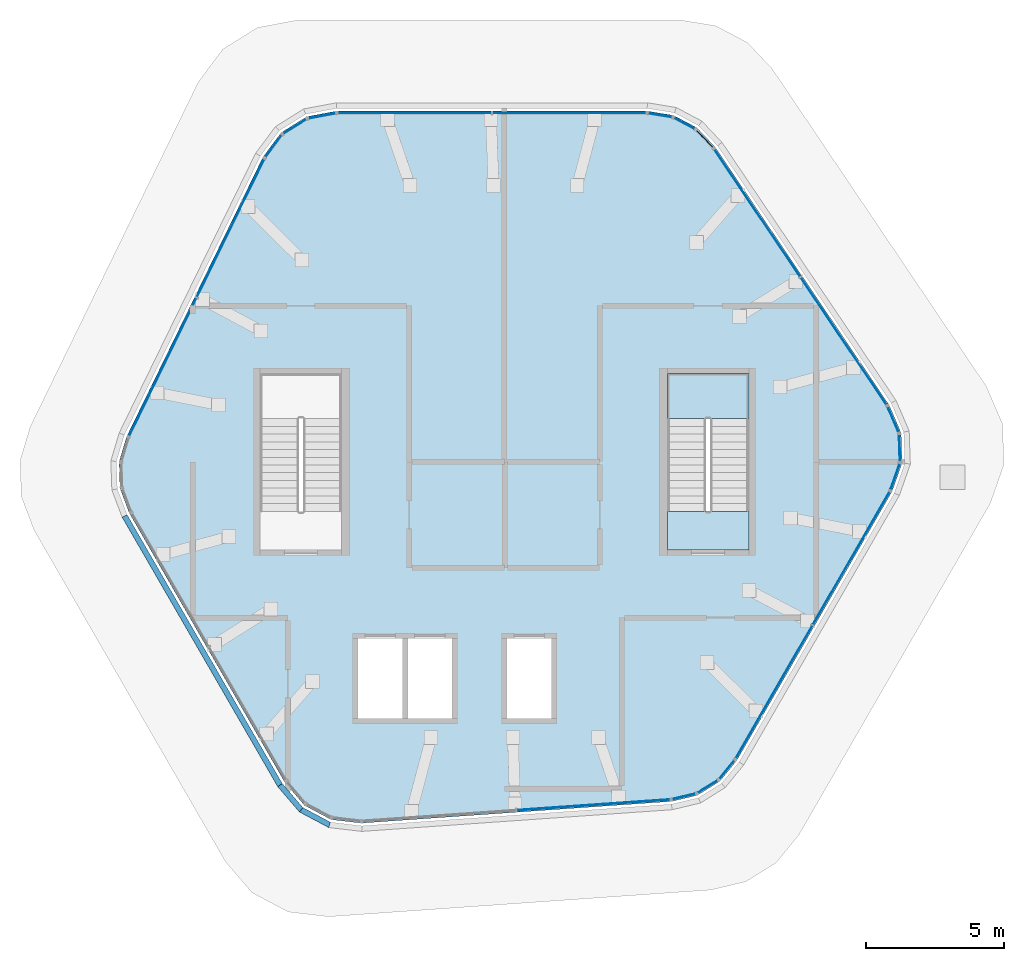
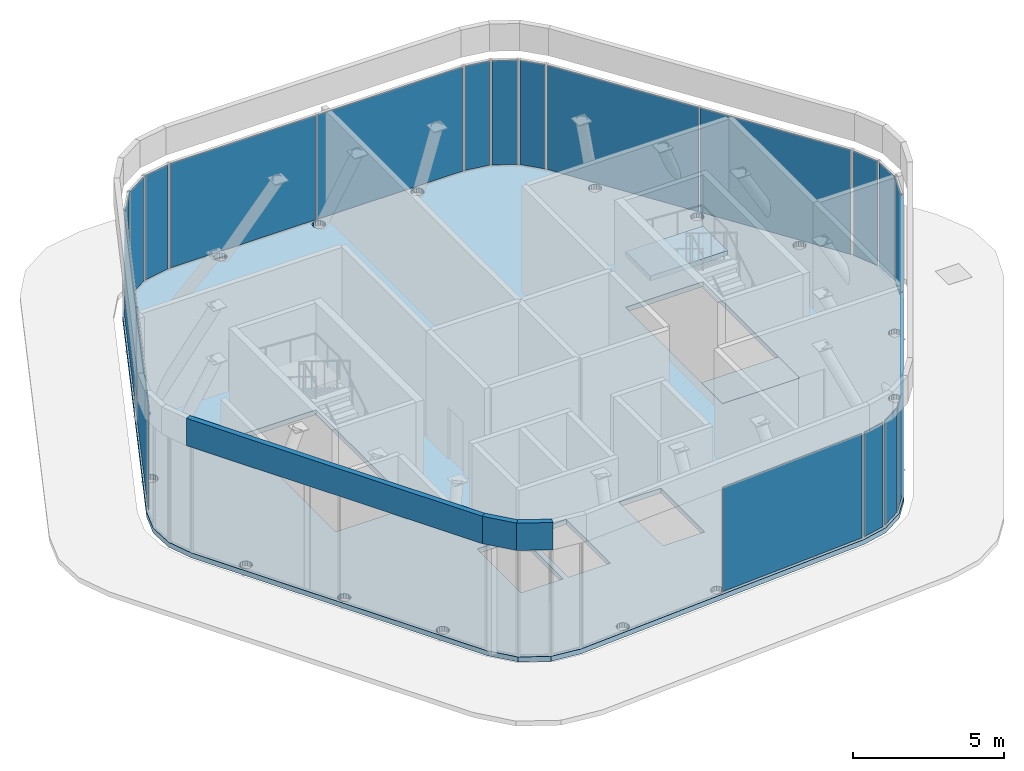
# One storey, part 6 of 9: 21 plates, 3 slabs, 3 walls, 18 elements without a shape of their own.
"""IFC4 building model written with IfcOpenShell, lengths in metres."""

from ifc_helpers import new_model, si_unit, direction, frame, origin, origin_2d, place, context, subcontext, project, spatial, polyline, rectangle, outline, extrude, material, layer, layer_set, type_object, element, aggregate, save


model = new_model("IFC4")

# Units and contexts
model_context = context("Model", 3, precision=1e-05, world=origin(), true_north=direction((0.0, 1.0)))
body_context = subcontext(model_context, "Body", "Model", "MODEL_VIEW")
ifc_project = project(units=[si_unit("LENGTHUNIT", "METRE"), si_unit("AREAUNIT", "SQUARE_METRE"), si_unit("VOLUMEUNIT", "CUBIC_METRE"), si_unit("PLANEANGLEUNIT", "RADIAN"), si_unit("MASSUNIT", "GRAM", prefix="KILO")], contexts=[model_context])

# Site, building, storey
site_placement = place(None, origin())
site = spatial("IfcSite", under=ifc_project, at=site_placement, CompositionType="ELEMENT")
building_placement = place(site_placement, origin())
building = spatial("IfcBuilding", under=site, at=building_placement, Name="Tarnside Tower", CompositionType="ELEMENT")
storey_placement = place(building_placement, frame((0.0, 0.0, 401.699951171875)))
storey = spatial("IfcBuildingStorey", under=building, at=storey_placement, Name="L95", CompositionType="ELEMENT", Elevation=401.699951171875)

# Slabs
ifc_material_1 = material(Name="Concrete C35/45", Category="concrete")
ifc_layer_1 = layer(ifc_material_1, 0.199951171875)
ifc_layer_set_1 = layer_set([ifc_layer_1], Name="Composite floor slab 200")
slab_type_1 = type_object("IfcSlabType", Name="Composite floor slab 200", PredefinedType="FLOOR", material=ifc_layer_set_1)
slab_1_placement = place(storey_placement, frame((0.0, 0.0, -0.199951171875)))
element("IfcSlab", 1, at=slab_1_placement, inside=storey, type_object=slab_type_1, Name="Floor slab L95", PredefinedType="FLOOR", context=body_context, shape_type="SweptSolid", body=[
    extrude(outline(polyline([(-13.687255859375, 0.90771484375), (-8.743896484375, 11.043212890625), (-8.091796875, 11.919189453125), (-7.165771484375, 12.497802734375), (-6.092529296875, 12.699951171875), (5.18408203125, 12.699951171875), (6.12841796875, 12.544921875), (6.97314453125, 12.095703125), (7.6298828125, 11.399658203125), (13.935546875, 2.05078125), (14.3681640625, 1.048095703125), (14.40625, -0.043212890625), (14.044921875, -1.07373046875), (8.406494140625, -10.839599609375), (7.800048828125, -11.57958984375), (6.988525390625, -12.0869140625), (6.057373046875, -12.307373046875), (-5.191650390625, -13.093994140625), (-6.2763671875, -12.96728515625), (-7.240478515625, -12.45458984375), (-7.952392578125, -11.626220703125), (-13.590576171875, -1.8603515625), (-13.92822265625, -0.965087890625), (-13.961669921875, -0.0087890625), (-13.687255859375, 0.90771484375)]), holes=[polyline([(-3.699951171875, -9.300048828125), (-3.699951171875, -6.39990234375), (-5.300048828125, -6.39990234375), (-5.300048828125, -9.300048828125), (-3.699951171875, -9.300048828125)]), polyline([(-1.89990234375, -9.300048828125), (-1.89990234375, -6.39990234375), (-3.5, -6.39990234375), (-3.5, -9.300048828125), (-1.89990234375, -9.300048828125)]), polyline([(1.699951171875, -9.300048828125), (1.699951171875, -6.39990234375), (0.10009765625, -6.39990234375), (0.10009765625, -9.300048828125), (1.699951171875, -9.300048828125)]), polyline([(-8.85009765625, -3.199951171875), (-5.89990234375, -3.199951171875), (-5.89990234375, 3.199951171875), (-8.85009765625, 3.199951171875), (-8.85009765625, -3.199951171875)]), polyline([(5.89990234375, -3.199951171875), (8.85009765625, -3.199951171875), (8.85009765625, 3.199951171875), (5.89990234375, 3.199951171875), (5.89990234375, -3.199951171875)]), polyline([(3.427001953125, 12.557861328125), (3.354736328125, 12.606201171875), (3.269287109375, 12.623291015625), (3.183837890625, 12.606201171875), (3.111572265625, 12.557861328125), (3.06298828125, 12.4853515625), (3.046142578125, 12.39990234375), (3.06298828125, 12.314697265625), (3.111572265625, 12.2421875), (3.183837890625, 12.19384765625), (3.269287109375, 12.1767578125), (3.354736328125, 12.19384765625), (3.427001953125, 12.2421875), (3.4755859375, 12.314697265625), (3.492431640625, 12.39990234375), (3.4755859375, 12.4853515625), (3.427001953125, 12.557861328125)]), polyline([(-0.27978515625, 12.4853515625), (-0.328125, 12.557861328125), (-0.400390625, 12.606201171875), (-0.48583984375, 12.623291015625), (-0.5712890625, 12.606201171875), (-0.643798828125, 12.557861328125), (-0.692138671875, 12.4853515625), (-0.708984375, 12.39990234375), (-0.692138671875, 12.314697265625), (-0.643798828125, 12.2421875), (-0.5712890625, 12.19384765625), (-0.48583984375, 12.1767578125), (-0.400390625, 12.19384765625), (-0.328125, 12.2421875), (-0.27978515625, 12.314697265625), (-0.2626953125, 12.39990234375), (-0.27978515625, 12.4853515625)]), polyline([(-4.017822265625, 12.39990234375), (-4.034912109375, 12.4853515625), (-4.083251953125, 12.557861328125), (-4.15576171875, 12.606201171875), (-4.2412109375, 12.623291015625), (-4.326416015625, 12.606201171875), (-4.39892578125, 12.557861328125), (-4.447265625, 12.4853515625), (-4.46435546875, 12.39990234375), (-4.447265625, 12.314697265625), (-4.39892578125, 12.2421875), (-4.326416015625, 12.19384765625), (-4.2412109375, 12.1767578125), (-4.15576171875, 12.19384765625), (-4.083251953125, 12.2421875), (-4.034912109375, 12.314697265625), (-4.017822265625, 12.39990234375)]), polyline([(-9.07958984375, 9.162109375), (-9.062744140625, 9.247802734375), (-9.07958984375, 9.3330078125), (-9.128173828125, 9.405517578125), (-9.200439453125, 9.453857421875), (-9.285888671875, 9.470947265625), (-9.371337890625, 9.453857421875), (-9.443603515625, 9.405517578125), (-9.4921875, 9.3330078125), (-9.509033203125, 9.247802734375), (-9.4921875, 9.162109375), (-9.443603515625, 9.08984375), (-9.371337890625, 9.04150390625), (-9.285888671875, 9.0244140625), (-9.200439453125, 9.04150390625), (-9.128173828125, 9.08984375), (-9.07958984375, 9.162109375)]), polyline([(-10.774169921875, 5.714599609375), (-10.725830078125, 5.787109375), (-10.708984375, 5.87255859375), (-10.725830078125, 5.9580078125), (-10.774169921875, 6.0302734375), (-10.8466796875, 6.07861328125), (-10.93212890625, 6.095703125), (-11.017578125, 6.07861328125), (-11.08984375, 6.0302734375), (-11.13818359375, 5.9580078125), (-11.1552734375, 5.87255859375), (-11.13818359375, 5.787109375), (-11.08984375, 5.714599609375), (-11.017578125, 5.666259765625), (-10.93212890625, 5.6494140625), (-10.8466796875, 5.666259765625), (-10.774169921875, 5.714599609375)]), polyline([(-12.492919921875, 2.291015625), (-12.42041015625, 2.339599609375), (-12.3720703125, 2.411865234375), (-12.35498046875, 2.497314453125), (-12.3720703125, 2.582763671875), (-12.42041015625, 2.6552734375), (-12.492919921875, 2.70361328125), (-12.578125, 2.720458984375), (-12.66357421875, 2.70361328125), (-12.736083984375, 2.6552734375), (-12.784423828125, 2.582763671875), (-12.801513671875, 2.497314453125), (-12.784423828125, 2.411865234375), (-12.736083984375, 2.339599609375), (-12.66357421875, 2.291015625), (-12.578125, 2.274169921875), (-12.492919921875, 2.291015625)]), polyline([(-12.373291015625, -3.591796875), (-12.2880859375, -3.574951171875), (-12.215576171875, -3.526611328125), (-12.167236328125, -3.4541015625), (-12.150146484375, -3.36865234375), (-12.167236328125, -3.283203125), (-12.215576171875, -3.2109375), (-12.2880859375, -3.16259765625), (-12.373291015625, -3.1455078125), (-12.458740234375, -3.16259765625), (-12.53125, -3.2109375), (-12.57958984375, -3.283203125), (-12.5966796875, -3.36865234375), (-12.57958984375, -3.4541015625), (-12.53125, -3.526611328125), (-12.458740234375, -3.574951171875), (-12.373291015625, -3.591796875)]), polyline([(-10.581298828125, -6.826904296875), (-10.495849609375, -6.843994140625), (-10.410400390625, -6.826904296875), (-10.337890625, -6.778564453125), (-10.28955078125, -6.706298828125), (-10.272705078125, -6.620849609375), (-10.28955078125, -6.535400390625), (-10.337890625, -6.462890625), (-10.410400390625, -6.41455078125), (-10.495849609375, -6.397705078125), (-10.581298828125, -6.41455078125), (-10.653564453125, -6.462890625), (-10.701904296875, -6.535400390625), (-10.718994140625, -6.620849609375), (-10.701904296875, -6.706298828125), (-10.653564453125, -6.778564453125), (-10.581298828125, -6.826904296875)]), polyline([(-8.77587890625, -10.03076171875), (-8.70361328125, -10.0791015625), (-8.6181640625, -10.09619140625), (-8.53271484375, -10.0791015625), (-8.460205078125, -10.03076171875), (-8.412109375, -9.958251953125), (-8.39501953125, -9.872802734375), (-8.412109375, -9.78759765625), (-8.460205078125, -9.715087890625), (-8.53271484375, -9.666748046875), (-8.6181640625, -9.649658203125), (-8.70361328125, -9.666748046875), (-8.77587890625, -9.715087890625), (-8.824462890625, -9.78759765625), (-8.84130859375, -9.872802734375), (-8.824462890625, -9.958251953125), (-8.77587890625, -10.03076171875)]), polyline([(-3.572021484375, -12.751220703125), (-3.523681640625, -12.823486328125), (-3.451171875, -12.871826171875), (-3.36572265625, -12.888916015625), (-3.280517578125, -12.871826171875), (-3.2080078125, -12.823486328125), (-3.15966796875, -12.751220703125), (-3.142578125, -12.66552734375), (-3.15966796875, -12.580078125), (-3.2080078125, -12.5078125), (-3.280517578125, -12.45947265625), (-3.36572265625, -12.4423828125), (-3.451171875, -12.45947265625), (-3.523681640625, -12.5078125), (-3.572021484375, -12.580078125), (-3.589111328125, -12.66552734375), (-3.572021484375, -12.751220703125)]), polyline([(0.156982421875, -12.40380859375), (0.174072265625, -12.489013671875), (0.222412109375, -12.5615234375), (0.294921875, -12.60986328125), (0.38037109375, -12.626953125), (0.4658203125, -12.60986328125), (0.5380859375, -12.5615234375), (0.58642578125, -12.489013671875), (0.603515625, -12.40380859375), (0.58642578125, -12.318359375), (0.5380859375, -12.245849609375), (0.4658203125, -12.197509765625), (0.38037109375, -12.180419921875), (0.294921875, -12.197509765625), (0.222412109375, -12.245849609375), (0.174072265625, -12.318359375), (0.156982421875, -12.40380859375)]), polyline([(3.920166015625, -12.056396484375), (3.903076171875, -12.1416015625), (3.920166015625, -12.227294921875), (3.968505859375, -12.299560546875), (4.041015625, -12.347900390625), (4.126220703125, -12.364990234375), (4.2119140625, -12.347900390625), (4.2841796875, -12.299560546875), (4.33251953125, -12.227294921875), (4.349609375, -12.1416015625), (4.33251953125, -12.056396484375), (4.2841796875, -11.98388671875), (4.2119140625, -11.935546875), (4.126220703125, -11.91845703125), (4.041015625, -11.935546875), (3.968505859375, -11.98388671875), (3.920166015625, -12.056396484375)]), polyline([(8.9462890625, -8.87353515625), (8.897705078125, -8.94580078125), (8.880859375, -9.03125), (8.897705078125, -9.11669921875), (8.9462890625, -9.189208984375), (9.0185546875, -9.237548828125), (9.10400390625, -9.25439453125), (9.189453125, -9.237548828125), (9.261962890625, -9.189208984375), (9.310302734375, -9.11669921875), (9.327392578125, -9.03125), (9.310302734375, -8.94580078125), (9.261962890625, -8.87353515625), (9.189453125, -8.8251953125), (9.10400390625, -8.80810546875), (9.0185546875, -8.8251953125), (8.9462890625, -8.87353515625)]), polyline([(10.896240234375, -5.572998046875), (10.82373046875, -5.621337890625), (10.775390625, -5.69384765625), (10.758544921875, -5.779296875), (10.775390625, -5.864501953125), (10.82373046875, -5.93701171875), (10.896240234375, -5.9853515625), (10.981689453125, -6.00244140625), (11.067138671875, -5.9853515625), (11.139404296875, -5.93701171875), (11.18798828125, -5.864501953125), (11.204833984375, -5.779296875), (11.18798828125, -5.69384765625), (11.139404296875, -5.621337890625), (11.067138671875, -5.572998046875), (10.981689453125, -5.555908203125), (10.896240234375, -5.572998046875)]), polyline([(12.859375, -2.303955078125), (12.773681640625, -2.32080078125), (12.701416015625, -2.369384765625), (12.653076171875, -2.441650390625), (12.635986328125, -2.527099609375), (12.653076171875, -2.612548828125), (12.701416015625, -2.684814453125), (12.773681640625, -2.7333984375), (12.859375, -2.750244140625), (12.944580078125, -2.7333984375), (13.01708984375, -2.684814453125), (13.0654296875, -2.612548828125), (13.08251953125, -2.527099609375), (13.0654296875, -2.441650390625), (13.01708984375, -2.369384765625), (12.944580078125, -2.32080078125), (12.859375, -2.303955078125)]), polyline([(12.737060546875, 3.624267578125), (12.651611328125, 3.64111328125), (12.566162109375, 3.624267578125), (12.493896484375, 3.57568359375), (12.4453125, 3.50341796875), (12.428466796875, 3.41796875), (12.4453125, 3.33251953125), (12.493896484375, 3.26025390625), (12.566162109375, 3.2119140625), (12.651611328125, 3.19482421875), (12.737060546875, 3.2119140625), (12.8095703125, 3.26025390625), (12.85791015625, 3.33251953125), (12.874755859375, 3.41796875), (12.85791015625, 3.50341796875), (12.8095703125, 3.57568359375), (12.737060546875, 3.624267578125)]), polyline([(10.709716796875, 6.68896484375), (10.63720703125, 6.7373046875), (10.5517578125, 6.75439453125), (10.46630859375, 6.7373046875), (10.393798828125, 6.68896484375), (10.345703125, 6.61669921875), (10.32861328125, 6.53125), (10.345703125, 6.44580078125), (10.393798828125, 6.373291015625), (10.46630859375, 6.324951171875), (10.5517578125, 6.30810546875), (10.63720703125, 6.324951171875), (10.709716796875, 6.373291015625), (10.758056640625, 6.44580078125), (10.77490234375, 6.53125), (10.758056640625, 6.61669921875), (10.709716796875, 6.68896484375)]), polyline([(8.658203125, 9.729736328125), (8.609619140625, 9.80224609375), (8.537353515625, 9.8505859375), (8.451904296875, 9.86767578125), (8.366455078125, 9.8505859375), (8.294189453125, 9.80224609375), (8.24560546875, 9.729736328125), (8.228759765625, 9.644287109375), (8.24560546875, 9.55908203125), (8.294189453125, 9.486572265625), (8.366455078125, 9.438232421875), (8.451904296875, 9.421142578125), (8.537353515625, 9.438232421875), (8.609619140625, 9.486572265625), (8.658203125, 9.55908203125), (8.675048828125, 9.644287109375), (8.658203125, 9.729736328125)])]), origin(), (0.0, 0.0, 1.0), 0.199951171875),
])
ifc_material_2 = material(Name="Concrete C40/50", Category="concrete")
ifc_layer_2 = layer(ifc_material_2, 0.199951171875)
ifc_layer_set_2 = layer_set([ifc_layer_2], Name="Core crown slab C40/50")
slab_type_2 = type_object("IfcSlabType", Name="Core crown slab C40/50", PredefinedType="FLOOR", material=ifc_layer_set_2)
slab_2_placement = place(storey_placement, frame((0.0, 0.0, -0.199951171875)))
element("IfcSlab", 2, at=slab_2_placement, inside=storey, type_object=slab_type_2, Name="L95 core floor slab 1", PredefinedType="FLOOR", context=body_context, shape_type="SweptSolid", body=[
    extrude(outline(polyline([(8.85009765625, -3.199951171875), (5.89990234375, -3.199951171875), (5.89990234375, 3.199951171875), (5.89990234375, 3.199951171875), (5.89990234375, -1.800048828125), (8.85009765625, -1.800048828125), (8.85009765625, -3.199951171875)])), origin(), (0.0, 0.0, 1.0), 0.199951171875),
])

# Curtain wall, plate
ifc_material_3 = material(Name="Crown glazing wall", Category="glass")
curtain_wall_type = type_object("IfcCurtainWallType", Name="Crown glazing wall", PredefinedType="NOTDEFINED", material=ifc_material_3)
curtain_wall_1_placement = place(storey_placement, origin())
curtain_wall_1 = element("IfcCurtainWall", 3, at=curtain_wall_1_placement, inside=storey, type_object=curtain_wall_type, Name="Crown glazing L95 01", PredefinedType="NOTDEFINED")
ifc_material_4 = material(Name="Low-iron safety glass", Category="glass")
ifc_layer_3 = layer(ifc_material_4, 0.028076171875)
ifc_layer_set_3 = layer_set([ifc_layer_3], Name="Crown glazing panel 28")
plate_type_1 = type_object("IfcPlateType", Name="Crown glazing panel 28", PredefinedType="CURTAIN_PANEL", material=ifc_layer_set_3)
plate_1_placement = place(storey_placement, frame((5.635498046875, 12.552734375, 0.05029296875), z_axis=(0.0, 0.0, 1.0), x_axis=(0.986761532043, -0.16217792353, 0.0)))
plate_1 = element("IfcPlate", 4, at=plate_1_placement, type_object=plate_type_1, Name="CW6 panel 1.1", PredefinedType="CURTAIN_PANEL", context=body_context, shape_type="SweptSolid", body=[
    extrude(rectangle(XDim=0.851318359375, YDim=0.028076171875, at=origin_2d()), origin(), (0.0, 0.0, 1.0), 4.199951171875),
])
aggregate(curtain_wall_1, [plate_1])

curtain_wall_2_placement = place(storey_placement, origin())
curtain_wall_2 = element("IfcCurtainWall", 5, at=curtain_wall_2_placement, inside=storey, type_object=curtain_wall_type, Name="Crown glazing L95 02", PredefinedType="NOTDEFINED")
plate_2_placement = place(storey_placement, frame((6.51708984375, 12.256591796875, 0.05029296875), z_axis=(0.0, 0.0, 1.0), x_axis=(0.882947593203, -0.469471562139, 0.0)))
plate_2 = element("IfcPlate", 6, at=plate_2_placement, type_object=plate_type_1, Name="CW6 panel 1.1", PredefinedType="CURTAIN_PANEL", context=body_context, shape_type="SweptSolid", body=[
    extrude(rectangle(XDim=0.833251953125, YDim=0.028076171875, at=origin_2d()), origin(), (0.0, 0.0, 1.0), 4.199951171875),
])
aggregate(curtain_wall_2, [plate_2])

curtain_wall_3_placement = place(storey_placement, origin())
curtain_wall_3 = element("IfcCurtainWall", 7, at=curtain_wall_3_placement, inside=storey, type_object=curtain_wall_type, Name="Crown glazing L95 03", PredefinedType="NOTDEFINED")
plate_3_placement = place(storey_placement, frame((7.25537109375, 11.691650390625, 0.05029296875), z_axis=(0.0, 0.0, 1.0), x_axis=(0.686241637331, -0.72737364208, 0.0)))
plate_3 = element("IfcPlate", 8, at=plate_3_placement, type_object=plate_type_1, Name="CW6 panel 1.1", PredefinedType="CURTAIN_PANEL", context=body_context, shape_type="SweptSolid", body=[
    extrude(rectangle(XDim=0.851318359375, YDim=0.028076171875, at=origin_2d()), origin(), (0.0, 0.0, 1.0), 4.199951171875),
])
aggregate(curtain_wall_3, [plate_3])

curtain_wall_4_placement = place(storey_placement, origin())
curtain_wall_4 = element("IfcCurtainWall", 9, at=curtain_wall_4_placement, inside=storey, type_object=curtain_wall_type, Name="Crown glazing L95 05", PredefinedType="NOTDEFINED")
plate_4_placement = place(storey_placement, frame((14.0810546875, 1.5302734375, 0.05029296875), z_axis=(0.0, 0.0, 1.0), x_axis=(0.396079766643, -0.91821610662, 0.0)))
plate_4 = element("IfcPlate", 10, at=plate_4_placement, type_object=plate_type_1, Name="CW6 panel 1.1", PredefinedType="CURTAIN_PANEL", context=body_context, shape_type="SweptSolid", body=[
    extrude(rectangle(XDim=0.985595703125, YDim=0.028076171875, at=origin_2d()), origin(), (0.0, 0.0, 1.0), 4.199951171875),
])
aggregate(curtain_wall_4, [plate_4])

curtain_wall_5_placement = place(storey_placement, origin())
curtain_wall_5 = element("IfcCurtainWall", 11, at=curtain_wall_5_placement, inside=storey, type_object=curtain_wall_type, Name="Crown glazing L95 06", PredefinedType="NOTDEFINED")
plate_5_placement = place(storey_placement, frame((14.314697265625, 0.5, 0.05029296875), z_axis=(0.0, 0.0, 1.0), x_axis=(0.034899495795, -0.999390827051, 0.0)))
plate_5 = element("IfcPlate", 12, at=plate_5_placement, type_object=plate_type_1, Name="CW6 panel 1.1", PredefinedType="CURTAIN_PANEL", context=body_context, shape_type="SweptSolid", body=[
    extrude(rectangle(XDim=0.964599609375, YDim=0.028076171875, at=origin_2d()), origin(), (0.0, 0.0, 1.0), 4.199951171875),
])
aggregate(curtain_wall_5, [plate_5])

curtain_wall_6_placement = place(storey_placement, origin())
curtain_wall_6 = element("IfcCurtainWall", 13, at=curtain_wall_6_placement, inside=storey, type_object=curtain_wall_type, Name="Crown glazing L95 07", PredefinedType="NOTDEFINED")
plate_6_placement = place(storey_placement, frame((14.153564453125, -0.54443359375, 0.05029296875), z_axis=(0.0, 0.0, 1.0), x_axis=(-0.331063417665, -0.943608506471, 0.0)))
plate_6 = element("IfcPlate", 14, at=plate_6_placement, type_object=plate_type_1, Name="CW6 panel 1.1", PredefinedType="CURTAIN_PANEL", context=body_context, shape_type="SweptSolid", body=[
    extrude(rectangle(XDim=0.985595703125, YDim=0.028076171875, at=origin_2d()), origin(), (0.0, 0.0, 1.0), 4.199951171875),
])
aggregate(curtain_wall_6, [plate_6])

curtain_wall_7_placement = place(storey_placement, origin())
curtain_wall_7 = element("IfcCurtainWall", 15, at=curtain_wall_7_placement, inside=storey, type_object=curtain_wall_type, Name="Crown glazing L95 09", PredefinedType="NOTDEFINED")
plate_7_placement = place(storey_placement, frame((8.05322265625, -11.156982421875, 0.05029296875), z_axis=(0.0, 0.0, 1.0), x_axis=(-0.633830967165, -0.773471592926, 0.0)))
plate_7 = element("IfcPlate", 16, at=plate_7_placement, type_object=plate_type_1, Name="CW6 panel 1.1", PredefinedType="CURTAIN_PANEL", context=body_context, shape_type="SweptSolid", body=[
    extrude(rectangle(XDim=0.851318359375, YDim=0.028076171875, at=origin_2d()), origin(), (0.0, 0.0, 1.0), 4.199951171875),
])
aggregate(curtain_wall_7, [plate_7])

curtain_wall_8_placement = place(storey_placement, origin())
curtain_wall_8 = element("IfcCurtainWall", 17, at=curtain_wall_8_placement, inside=storey, type_object=curtain_wall_type, Name="Crown glazing L95 10", PredefinedType="NOTDEFINED")
plate_8_placement = place(storey_placement, frame((7.356201171875, -11.772216796875, 0.05029296875), z_axis=(0.0, 0.0, 1.0), x_axis=(-0.84804809661, -0.529919263508, 0.0)))
plate_8 = element("IfcPlate", 18, at=plate_8_placement, type_object=plate_type_1, Name="CW6 panel 1.1", PredefinedType="CURTAIN_PANEL", context=body_context, shape_type="SweptSolid", body=[
    extrude(rectangle(XDim=0.833251953125, YDim=0.028076171875, at=origin_2d()), origin(), (0.0, 0.0, 1.0), 4.199951171875),
])
aggregate(curtain_wall_8, [plate_8])

curtain_wall_9_placement = place(storey_placement, origin())
curtain_wall_9 = element("IfcCurtainWall", 19, at=curtain_wall_9_placement, inside=storey, type_object=curtain_wall_type, Name="Crown glazing L95 11", PredefinedType="NOTDEFINED")
plate_9_placement = place(storey_placement, frame((6.49755859375, -12.129150390625, 0.05029296875), z_axis=(0.0, 0.0, 1.0), x_axis=(-0.973044870541, -0.230615870907, 0.0)))
plate_9 = element("IfcPlate", 20, at=plate_9_placement, type_object=plate_type_1, Name="CW6 panel 1.1", PredefinedType="CURTAIN_PANEL", context=body_context, shape_type="SweptSolid", body=[
    extrude(rectangle(XDim=0.851318359375, YDim=0.028076171875, at=origin_2d()), origin(), (0.0, 0.0, 1.0), 4.199951171875),
])
aggregate(curtain_wall_9, [plate_9])

curtain_wall_10_placement = place(storey_placement, origin())
curtain_wall_10 = element("IfcCurtainWall", 21, at=curtain_wall_10_placement, inside=storey, type_object=curtain_wall_type, Name="Crown glazing L95 21", PredefinedType="NOTDEFINED")
plate_10_placement = place(storey_placement, frame((-8.365966796875, 11.429443359375, 0.05029296875), z_axis=(0.0, 0.0, 1.0), x_axis=(0.597158591777, 0.802123192699, 0.0)))
plate_10 = element("IfcPlate", 22, at=plate_10_placement, type_object=plate_type_1, Name="CW6 panel 1.1", PredefinedType="CURTAIN_PANEL", context=body_context, shape_type="SweptSolid", body=[
    extrude(rectangle(XDim=0.985595703125, YDim=0.028076171875, at=origin_2d()), origin(), (0.0, 0.0, 1.0), 4.199951171875),
])
aggregate(curtain_wall_10, [plate_10])

curtain_wall_11_placement = place(storey_placement, origin())
curtain_wall_11 = element("IfcCurtainWall", 23, at=curtain_wall_11_placement, inside=storey, type_object=curtain_wall_type, Name="Crown glazing L95 22", PredefinedType="NOTDEFINED")
plate_11_placement = place(storey_placement, frame((-7.59033203125, 12.14697265625, 0.05029296875), z_axis=(0.0, 0.0, 1.0), x_axis=(0.848048096055, 0.529919264396, 0.0)))
plate_11 = element("IfcPlate", 24, at=plate_11_placement, type_object=plate_type_1, Name="CW6 panel 1.1", PredefinedType="CURTAIN_PANEL", context=body_context, shape_type="SweptSolid", body=[
    extrude(rectangle(XDim=0.964599609375, YDim=0.028076171875, at=origin_2d()), origin(), (0.0, 0.0, 1.0), 4.199951171875),
])
aggregate(curtain_wall_11, [plate_11])

curtain_wall_12_placement = place(storey_placement, origin())
curtain_wall_12 = element("IfcCurtainWall", 25, at=curtain_wall_12_placement, inside=storey, type_object=curtain_wall_type, Name="Crown glazing L95 23", PredefinedType="NOTDEFINED")
plate_12_placement = place(storey_placement, frame((-6.60546875, 12.529541015625, 0.05029296875), z_axis=(0.0, 0.0, 1.0), x_axis=(0.982720646767, 0.185094922725, 0.0)))
plate_12 = element("IfcPlate", 26, at=plate_12_placement, type_object=plate_type_1, Name="CW6 panel 1.1", PredefinedType="CURTAIN_PANEL", context=body_context, shape_type="SweptSolid", body=[
    extrude(rectangle(XDim=0.985595703125, YDim=0.028076171875, at=origin_2d()), origin(), (0.0, 0.0, 1.0), 4.199951171875),
])
aggregate(curtain_wall_12, [plate_12])

# Curtain wall, plates
curtain_wall_13_placement = place(storey_placement, origin())
curtain_wall_13 = element("IfcCurtainWall", 27, at=curtain_wall_13_placement, inside=storey, type_object=curtain_wall_type, Name="Crown glazing L95 00", PredefinedType="NOTDEFINED")
ifc_material_5 = material(Name="Insulated aluminium panel", Category="aluminium")
ifc_layer_4 = layer(ifc_material_5, 0.028076171875)
ifc_layer_set_4 = layer_set([ifc_layer_4], Name="Crown glazing spandrel panel 28")
plate_type_2 = type_object("IfcPlateType", Name="Crown glazing spandrel panel 28", PredefinedType="CURTAIN_PANEL", material=ifc_layer_set_4)
plate_13_placement = place(storey_placement, frame((-3.25, 12.6298828125, 0.05029296875), z_axis=(0.0, 0.0, 1.0), x_axis=(1.0, 0.0, 0.0)))
plate_13 = element("IfcPlate", 28, at=plate_13_placement, type_object=plate_type_2, Name="CW6 panel 1.1", PredefinedType="CURTAIN_PANEL", context=body_context, shape_type="SweptSolid", body=[
    extrude(rectangle(XDim=5.544189453125, YDim=0.028076171875, at=origin_2d()), origin(), (0.0, 0.0, 1.0), 4.199951171875),
])
plate_14_placement = place(storey_placement, frame((2.34423828125, 12.6298828125, 0.05029296875), z_axis=(0.0, 0.0, 1.0), x_axis=(1.0, 0.0, 0.0)))
plate_14 = element("IfcPlate", 29, at=plate_14_placement, type_object=plate_type_2, Name="CW6 panel 2.1", PredefinedType="CURTAIN_PANEL", context=body_context, shape_type="SweptSolid", body=[
    extrude(rectangle(XDim=5.544189453125, YDim=0.028076171875, at=origin_2d()), origin(), (0.0, 0.0, 1.0), 4.199951171875),
])
aggregate(curtain_wall_13, [plate_13, plate_14])

curtain_wall_14_placement = place(storey_placement, origin())
curtain_wall_14 = element("IfcCurtainWall", 30, at=curtain_wall_14_placement, inside=storey, type_object=curtain_wall_type, Name="Crown glazing L95 04", PredefinedType="NOTDEFINED")
plate_15_placement = place(storey_placement, frame((9.159912109375, 9.006103515625, 0.05029296875), z_axis=(0.0, 0.0, 1.0), x_axis=(0.559192903485, -0.829037572545, 0.0)))
plate_15 = element("IfcPlate", 31, at=plate_15_placement, type_object=plate_type_2, Name="CW6 panel 1.1", PredefinedType="CURTAIN_PANEL", context=body_context, shape_type="SweptSolid", body=[
    extrude(rectangle(XDim=5.544189453125, YDim=0.028076171875, at=origin_2d()), origin(), (0.0, 0.0, 1.0), 4.199951171875),
])
plate_16_placement = place(storey_placement, frame((12.2880859375, 4.368408203125, 0.05029296875), z_axis=(0.0, 0.0, 1.0), x_axis=(0.559192903485, -0.829037572545, 0.0)))
plate_16 = element("IfcPlate", 32, at=plate_16_placement, type_object=plate_type_2, Name="CW6 panel 2.1", PredefinedType="CURTAIN_PANEL", context=body_context, shape_type="SweptSolid", body=[
    extrude(rectangle(XDim=5.544189453125, YDim=0.028076171875, at=origin_2d()), origin(), (0.0, 0.0, 1.0), 4.199951171875),
])
aggregate(curtain_wall_14, [plate_15, plate_16])

curtain_wall_15_placement = place(storey_placement, origin())
curtain_wall_15 = element("IfcCurtainWall", 33, at=curtain_wall_15_placement, inside=storey, type_object=curtain_wall_type, Name="Crown glazing L95 08", PredefinedType="NOTDEFINED")
plate_17_placement = place(storey_placement, frame((12.562744140625, -3.50048828125, 0.05029296875), z_axis=(0.0, 0.0, 1.0), x_axis=(-0.49999999997, -0.866025403802, 0.0)))
plate_17 = element("IfcPlate", 34, at=plate_17_placement, type_object=plate_type_2, Name="CW6 panel 1.1", PredefinedType="CURTAIN_PANEL", context=body_context, shape_type="SweptSolid", body=[
    extrude(rectangle(XDim=5.544189453125, YDim=0.028076171875, at=origin_2d()), origin(), (0.0, 0.0, 1.0), 4.199951171875),
])
plate_18_placement = place(storey_placement, frame((9.765869140625, -8.34521484375, 0.05029296875), z_axis=(0.0, 0.0, 1.0), x_axis=(-0.49999999997, -0.866025403802, 0.0)))
plate_18 = element("IfcPlate", 35, at=plate_18_placement, type_object=plate_type_2, Name="CW6 panel 2.1", PredefinedType="CURTAIN_PANEL", context=body_context, shape_type="SweptSolid", body=[
    extrude(rectangle(XDim=5.544189453125, YDim=0.028076171875, at=origin_2d()), origin(), (0.0, 0.0, 1.0), 4.199951171875),
])
aggregate(curtain_wall_15, [plate_17, plate_18])

# Curtain wall, plate
curtain_wall_16_placement = place(storey_placement, origin())
curtain_wall_16 = element("IfcCurtainWall", 36, at=curtain_wall_16_placement, inside=storey, type_object=curtain_wall_type, Name="Crown glazing L95 12", PredefinedType="NOTDEFINED")
plate_19_placement = place(storey_placement, frame((3.219482421875, -12.435791015625, 0.05029296875), z_axis=(0.0, 0.0, 1.0), x_axis=(-0.997564050261, -0.069756473727, 0.0)))
plate_19 = element("IfcPlate", 37, at=plate_19_placement, type_object=plate_type_2, Name="CW6 panel 1.1", PredefinedType="CURTAIN_PANEL", context=body_context, shape_type="SweptSolid", body=[
    extrude(rectangle(XDim=5.544189453125, YDim=0.028076171875, at=origin_2d()), origin(), (0.0, 0.0, 1.0), 4.199951171875),
])
aggregate(curtain_wall_16, [plate_19])

# Curtain wall, plates
curtain_wall_17_placement = place(storey_placement, origin())
curtain_wall_17 = element("IfcCurtainWall", 38, at=curtain_wall_17_placement, inside=storey, type_object=curtain_wall_type, Name="Crown glazing L95 20", PredefinedType="NOTDEFINED")
plate_20_placement = place(storey_placement, frame((-12.37939453125, 3.4296875, 0.05029296875), z_axis=(0.0, 0.0, 1.0), x_axis=(0.438371146773, 0.898794046307, 0.0)))
plate_20 = element("IfcPlate", 39, at=plate_20_placement, type_object=plate_type_2, Name="CW6 panel 1.1", PredefinedType="CURTAIN_PANEL", context=body_context, shape_type="SweptSolid", body=[
    extrude(rectangle(XDim=5.544189453125, YDim=0.028076171875, at=origin_2d()), origin(), (0.0, 0.0, 1.0), 4.199951171875),
])
plate_21_placement = place(storey_placement, frame((-9.927001953125, 8.45751953125, 0.05029296875), z_axis=(0.0, 0.0, 1.0), x_axis=(0.438371146773, 0.898794046307, 0.0)))
plate_21 = element("IfcPlate", 40, at=plate_21_placement, type_object=plate_type_2, Name="CW6 panel 2.1", PredefinedType="CURTAIN_PANEL", context=body_context, shape_type="SweptSolid", body=[
    extrude(rectangle(XDim=5.544189453125, YDim=0.028076171875, at=origin_2d()), origin(), (0.0, 0.0, 1.0), 4.199951171875),
])
aggregate(curtain_wall_17, [plate_20, plate_21])

# Stair, slab
stair_type = type_object("IfcStairType", Name="Exit stair 1400 clear", PredefinedType="HALF_TURN_STAIR", material=ifc_material_2)
stair_placement = place(storey_placement, origin())
stair = element("IfcStair", 41, at=stair_placement, inside=storey, type_object=stair_type, Name="L95 Exit stair 1", PredefinedType="HALF_TURN_STAIR")
ifc_layer_5 = layer(ifc_material_2, 0.199951171875)
ifc_layer_set_5 = layer_set([ifc_layer_5], Name="Stair landing 200 C40/50")
slab_type_3 = type_object("IfcSlabType", Name="Stair landing 200 C40/50", PredefinedType="LANDING", material=ifc_layer_set_5)
slab_3_placement = place(storey_placement, frame((0.0, 0.0, 2.050048828125)))
slab_3 = element("IfcSlab", 42, at=slab_3_placement, type_object=slab_type_3, Name="ST1 landing 1", PredefinedType="LANDING", context=body_context, shape_type="SweptSolid", body=[
    extrude(outline(polyline([(8.85009765625, 1.56005859375), (8.85009765625, 3.199951171875), (5.89990234375, 3.199951171875), (5.89990234375, 1.56005859375), (8.85009765625, 1.56005859375)])), origin(), (0.0, 0.0, 1.0), 0.199951171875),
])
aggregate(stair, [slab_3])

# Walls
ifc_material_6 = material(Name="Concrete C35/45 precast", Category="concrete")
ifc_layer_6 = layer(ifc_material_6, 0.199951171875)
ifc_layer_set_6 = layer_set([ifc_layer_6], Name="Parapet 200 x 1100")
wall_type = type_object("IfcWallType", Name="Parapet 200 x 1100", PredefinedType="PARAPET", material=ifc_layer_set_6)
wall_1_placement = place(storey_placement, frame((-6.33544921875, -13.156494140625, 4.5), z_axis=(0.0, 0.0, 1.0), x_axis=(-0.88296107381, 0.469446207926, 0.0)))
element("IfcWall", 43, at=wall_1_placement, inside=storey, type_object=wall_type, Name="Roof parapet 14", PredefinedType="PARAPET", context=body_context, shape_type="SweptSolid", body=[
    extrude(outline(polyline([(0.018798828125, -0.10009765625), (1.146728515625, -0.10009765625), (1.184326171875, 0.10009765625), (-0.018798828125, 0.10009765625), (0.018798828125, -0.10009765625)])), origin(), (0.0, 0.0, 1.0), 1.10009765625),
])
wall_2_placement = place(storey_placement, frame((-7.364501953125, -12.609375, 4.5), z_axis=(0.0, 0.0, 1.0), x_axis=(-0.651680826734, 0.758493309177, 0.0)))
element("IfcWall", 44, at=wall_2_placement, inside=storey, type_object=wall_type, Name="Roof parapet 15", PredefinedType="PARAPET", context=body_context, shape_type="SweptSolid", body=[
    extrude(outline(polyline([(0.018798828125, -0.10009765625), (1.16552734375, -0.10009765625), (1.18408203125, 0.10009765625), (-0.018798828125, 0.10009765625), (0.018798828125, -0.10009765625)])), origin(), (0.0, 0.0, 1.0), 1.10009765625),
])
wall_3_placement = place(storey_placement, frame((-8.130126953125, -11.71826171875, 4.5), z_axis=(0.0, 0.0, 1.0), x_axis=(-0.500003376122, 0.866023454571, 0.0)))
element("IfcWall", 45, at=wall_3_placement, inside=storey, type_object=wall_type, Name="Roof parapet 16", PredefinedType="PARAPET", context=body_context, shape_type="SweptSolid", body=[
    extrude(outline(polyline([(0.00927734375, -0.10009765625), (11.251220703125, -0.10009765625), (11.267333984375, 0.10009765625), (-0.00927734375, 0.10009765625), (0.00927734375, -0.10009765625)])), origin(), (0.0, 0.0, 1.0), 1.10009765625),
])

save(model, "model.ifc")
